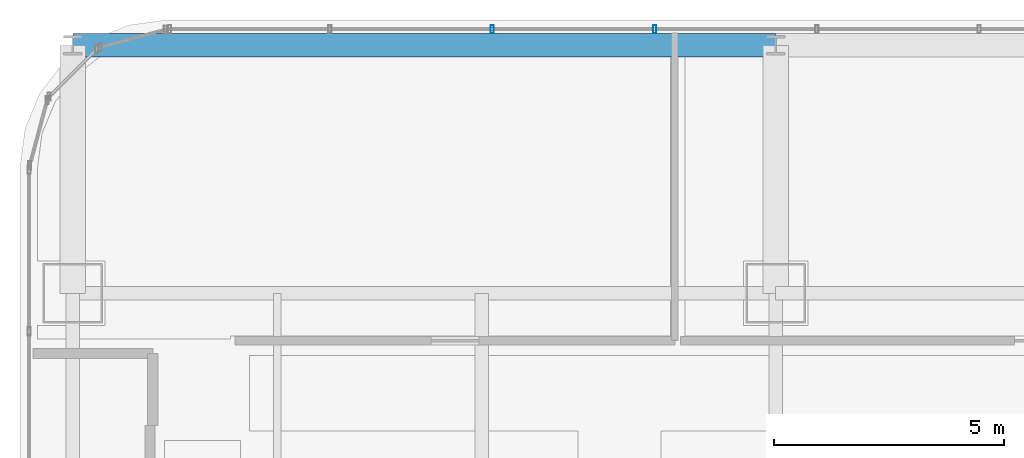
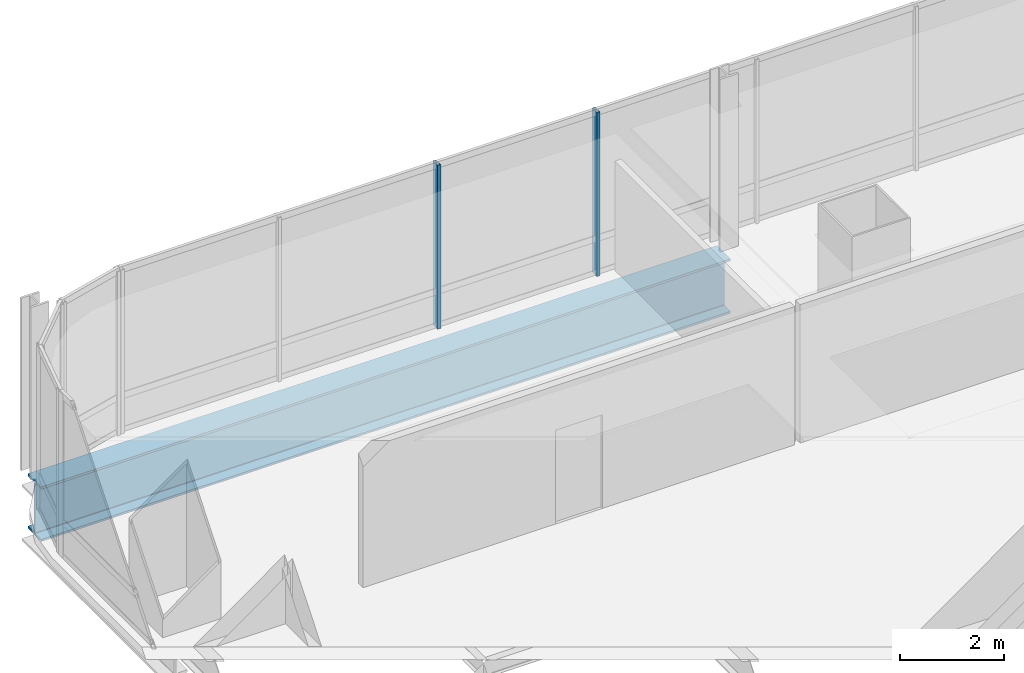
# One storey, part 25 of 42: 2 members, 1 beam, 1 element without a shape of its own.
"""IFC4 building model written with IfcOpenShell, lengths in metres."""

from ifc_helpers import new_model, si_unit, direction, frame, origin, origin_2d, place, context, subcontext, project, spatial, hollow_rectangle, i_section, extrude, material, material_profile, profile_set, type_object, element, aggregate, save


model = new_model("IFC4")

# Units and contexts
model_context = context("Model", 3, precision=1e-05, world=origin(), true_north=direction((0.0, 1.0)))
body_context = subcontext(model_context, "Body", "Model", "MODEL_VIEW")
ifc_project = project(units=[si_unit("LENGTHUNIT", "METRE"), si_unit("AREAUNIT", "SQUARE_METRE"), si_unit("VOLUMEUNIT", "CUBIC_METRE"), si_unit("PLANEANGLEUNIT", "RADIAN"), si_unit("MASSUNIT", "GRAM", prefix="KILO")], contexts=[model_context])

# Site, building, storey
site_placement = place(None, origin())
site = spatial("IfcSite", under=ifc_project, at=site_placement, CompositionType="ELEMENT")
building_placement = place(site_placement, origin())
building = spatial("IfcBuilding", under=site, at=building_placement, Name="Punatoya Terracotta Tower", CompositionType="ELEMENT")
storey_placement = place(building_placement, frame((0.0, 0.0, 259.5)))
storey = spatial("IfcBuildingStorey", under=building, at=storey_placement, Name="L61", CompositionType="ELEMENT", Elevation=259.5)

# Beam
ifc_material_1 = material(Name="Steel S460", Category="steel")
ifc_material_profile_1 = material_profile(ifc_material_1, i_section(OverallWidth=0.52001953125, OverallDepth=1.280029296875, WebThickness=0.031982421875, FlangeThickness=0.050048828125, FilletRadius=0.01806640625, at=origin_2d()))
ifc_profile_set_1 = profile_set([ifc_material_profile_1], Name="Steel S460")
beam_type = type_object("IfcBeamType", Name="BM-TG-NCK", PredefinedType="BEAM", material=ifc_profile_set_1)
beam_placement = place(storey_placement, frame((-19.10009765625, 22.89990234375, -0.840087890625), z_axis=(1.0, 0.0, 0.0), x_axis=(0.0, 1.0, 0.0)))
element("IfcBeam", 1, at=beam_placement, inside=storey, type_object=beam_type, Name="BM-L61-PER-N1", PredefinedType="BEAM", context=body_context, shape_type="SweptSolid", body=[
    extrude(i_section(OverallWidth=0.52001953125, OverallDepth=1.280029296875, WebThickness=0.031982421875, FlangeThickness=0.050048828125, FilletRadius=0.01806640625, at=origin_2d()), origin(), (0.0, 0.0, 1.0), 15.300048828125),
])

# Curtain wall, members
ifc_material_2 = material(Name="Aluminium 6063-T6 + Double Low-E Glass", Category="aluminium")
curtain_wall_type = type_object("IfcCurtainWallType", Name="CW-M3", PredefinedType="NOTDEFINED", material=ifc_material_2)
curtain_wall_placement = place(storey_placement, origin())
curtain_wall = element("IfcCurtainWall", 2, at=curtain_wall_placement, inside=storey, type_object=curtain_wall_type, Name="L61 Curtain Wall CW-L61-N09-1", PredefinedType="NOTDEFINED")
ifc_material_3 = material(Name="Aluminium 6063-T6", Category="aluminium")
ifc_material_profile_2 = material_profile(ifc_material_3, hollow_rectangle(XDim=0.070068359375, YDim=0.179931640625, WallThickness=0.00390625, at=origin_2d()))
ifc_profile_set_2 = profile_set([ifc_material_profile_2], Name="Aluminium 6063-T6")
member_type = type_object("IfcMemberType", Name="CW-MUL-M3", PredefinedType="MULLION", material=ifc_profile_set_2)
member_1_placement = place(storey_placement, frame((-6.43505859375, 23.25, 0.0), z_axis=(0.0, 0.0, 1.0), x_axis=(1.0, 0.0, 0.0)))
member_1 = element("IfcMember", 3, at=member_1_placement, type_object=member_type, Name="CW-L61-N09-1 Mullion 08", PredefinedType="MULLION", context=body_context, shape_type="SweptSolid", body=[
    extrude(hollow_rectangle(XDim=0.070068359375, YDim=0.179931640625, WallThickness=0.00390625, at=origin_2d()), origin(), (0.0, 0.0, 1.0), 3.85009765625),
])
member_2_placement = place(storey_placement, frame((-9.968994140625, 23.25, 0.0), z_axis=(0.0, 0.0, 1.0), x_axis=(1.0, 0.0, 0.0)))
member_2 = element("IfcMember", 4, at=member_2_placement, type_object=member_type, Name="CW-L61-N09-1 Mullion 09", PredefinedType="MULLION", context=body_context, shape_type="SweptSolid", body=[
    extrude(hollow_rectangle(XDim=0.070068359375, YDim=0.179931640625, WallThickness=0.00390625, at=origin_2d()), origin(), (0.0, 0.0, 1.0), 3.85009765625),
])
aggregate(curtain_wall, [member_1, member_2])

save(model, "model.ifc")
